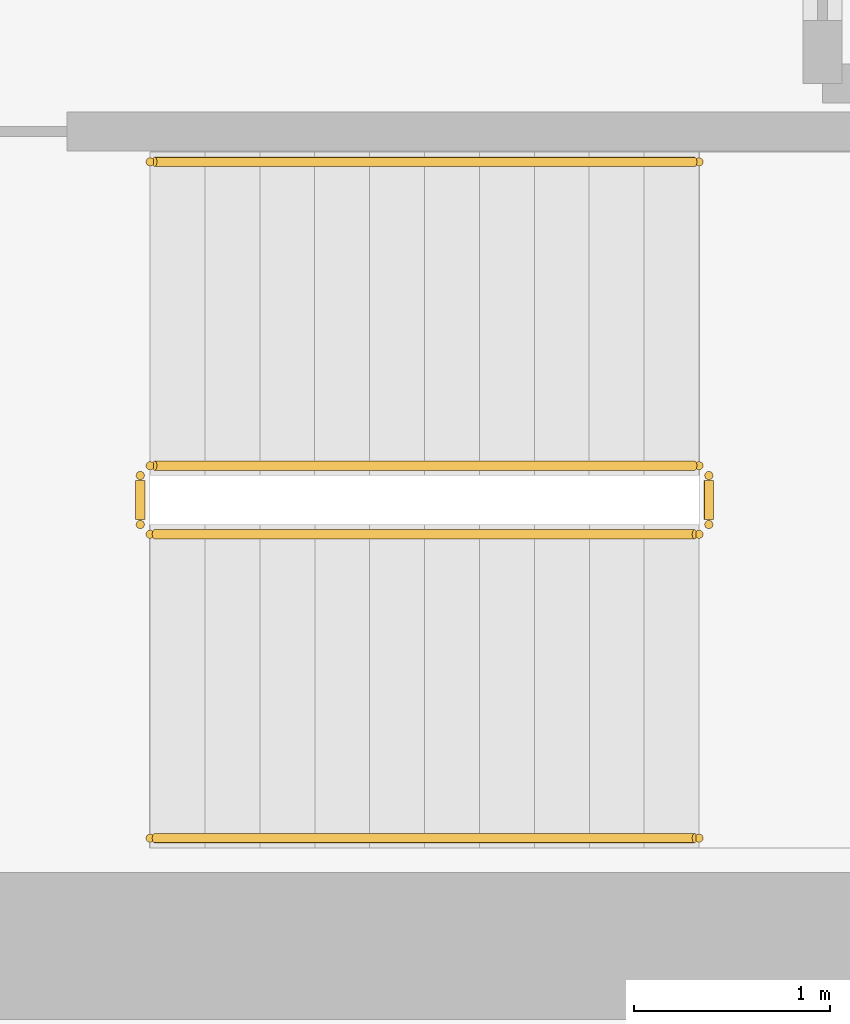
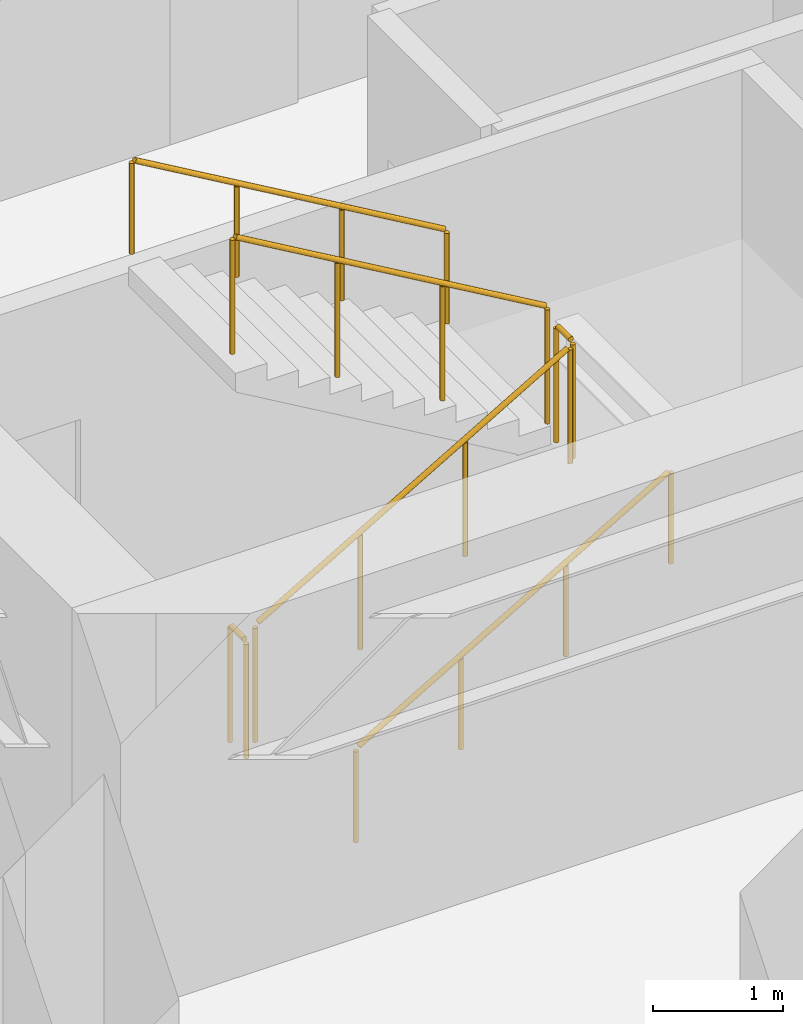
# One storey, part 13 of 13: 6 railings.
"""IFC4 building model written with IfcOpenShell, lengths in metres."""

from ifc_helpers import new_model, si_unit, direction, frame, origin, origin_2d, place, context, subcontext, project, spatial, circle, extrude, source, transform, mapped, material, layer, layer_set, type_object, element, save


model = new_model("IFC4")

# Units and contexts
model_context = context("Model", 3, precision=1e-05, world=origin(), true_north=direction((0.0, 1.0)))
body_context = subcontext(model_context, "Body", "Model", "MODEL_VIEW")
ifc_project = project(units=[si_unit("LENGTHUNIT", "METRE"), si_unit("AREAUNIT", "SQUARE_METRE"), si_unit("VOLUMEUNIT", "CUBIC_METRE"), si_unit("PLANEANGLEUNIT", "RADIAN"), si_unit("MASSUNIT", "GRAM", prefix="KILO")], contexts=[model_context])

# Site, building, storey
site_placement = place(None, origin())
site = spatial("IfcSite", under=ifc_project, at=site_placement, CompositionType="ELEMENT")
building_placement = place(site_placement, origin())
building = spatial("IfcBuilding", under=site, at=building_placement, Name="Kharzan Plaza Tower", CompositionType="ELEMENT")
storey_placement = place(building_placement, frame((0.0, 0.0, 109.800048828125)))
storey = spatial("IfcBuildingStorey", under=building, at=storey_placement, Name="L29", CompositionType="ELEMENT", Elevation=109.800048828125)

# Railings
ifc_material_1 = material(Name="Painted Galvanized Architectural Steel", Category="steel")
ifc_layer_1 = layer(ifc_material_1, 0.074951171875)
ifc_layer_set_1 = layer_set([ifc_layer_1], Name="Painted Galvanized Architectural Steel")
railing_type_1 = type_object("IfcRailingType", Name="RL-GUARD-1120", PredefinedType="BALUSTRADE", material=ifc_layer_set_1)
shared_shape_1 = source(origin(), body_context, "Body", "SweptSolid", [
    extrude(circle(Radius=0.02392578125, at=origin_2d()), frame((0.0, 0.0263671875, 1.09619140625), z_axis=(0.0, 1.0, 0.0), x_axis=(-1.0, 0.0, 0.0)), (0.0, 0.0, 1.0), 0.197021484375),
    extrude(circle(Radius=0.02099609375, at=origin_2d()), origin(), (0.0, 0.0, 1.0), 1.072021484375),
    extrude(circle(Radius=0.02099609375, at=origin_2d()), frame((0.0, 0.25, 0.0)), (0.0, 0.0, 1.0), 1.072021484375),
])
for number, where, name in (
    (1, (41.10009765625, 6.64990234375, 1.800048828125), "L29 ST-3 stair guard 2"),
    (2, (38.199951171875, 6.64990234375, 0.0), "L29 ST-3 stair guard 4"),
):
    element("IfcRailing", number, at=place(storey_placement, frame(where)), inside=storey, type_object=railing_type_1, Name=name, PredefinedType="BALUSTRADE", context=body_context, shape_type="MappedRepresentation", body=[
        mapped(shared_shape_1, transform((0.0, 0.0, 0.0), x_axis=(1.0, 0.0, 0.0), y_axis=(0.0, 1.0, 0.0), z_axis=(0.0, 0.0, 1.0))),
    ])
shared_shape_2 = source(origin(), body_context, "Body", "SweptSolid", [
    extrude(circle(Radius=0.02392578125, at=origin_2d()), frame((0.02294921875, 0.0, 1.109375), z_axis=(0.863360870873, 0.0, 0.504586966384), x_axis=(0.0, 1.0, 0.0)), (0.0, 0.0, 1.0), 3.190185546875),
    extrude(circle(Radius=0.02099609375, at=origin_2d()), origin(), (0.0, 0.0, 1.0), 1.072021484375),
    extrude(circle(Radius=0.02099609375, at=origin_2d()), frame((0.933349609375, 0.0, 0.54541015625)), (0.0, 0.0, 1.0), 1.072021484375),
    extrude(circle(Radius=0.02099609375, at=origin_2d()), frame((1.86669921875, 0.0, 1.091064453125)), (0.0, 0.0, 1.0), 1.072021484375),
    extrude(circle(Radius=0.02099609375, at=origin_2d()), frame((2.800048828125, 0.0, 1.636474609375)), (0.0, 0.0, 1.0), 1.072021484375),
])
railing_1_placement = place(storey_placement, frame((38.25, 6.60009765625, 0.16357421875)))
element("IfcRailing", 3, at=railing_1_placement, inside=storey, type_object=railing_type_1, Name="L29 ST-3 stair guard 1", PredefinedType="BALUSTRADE", context=body_context, shape_type="MappedRepresentation", body=[
    mapped(shared_shape_2, transform((0.0, 0.0, 0.0), x_axis=(1.0, 0.0, 0.0), y_axis=(0.0, 1.0, 0.0), z_axis=(0.0, 0.0, 1.0))),
])
ifc_material_2 = material(Name="Brushed Stainless Steel", Category="steel")
ifc_layer_2 = layer(ifc_material_2, 0.050048828125)
ifc_layer_set_2 = layer_set([ifc_layer_2], Name="Brushed Stainless Steel")
railing_type_2 = type_object("IfcRailingType", Name="RL-STAIR-HR920", PredefinedType="HANDRAIL", material=ifc_layer_set_2)
shared_shape_3 = source(origin(), body_context, "Body", "SweptSolid", [
    extrude(circle(Radius=0.02392578125, at=origin_2d()), frame((0.02294921875, 0.0, 0.88916015625), z_axis=(0.863360870873, 0.0, 0.504586966384), x_axis=(0.0, 1.0, 0.0)), (0.0, 0.0, 1.0), 3.190185546875),
    extrude(circle(Radius=0.02099609375, at=origin_2d()), origin(), (0.0, 0.0, 1.0), 0.851806640625),
    extrude(circle(Radius=0.02099609375, at=origin_2d()), frame((0.933349609375, 0.0, 0.54541015625)), (0.0, 0.0, 1.0), 0.851806640625),
    extrude(circle(Radius=0.02099609375, at=origin_2d()), frame((1.86669921875, 0.0, 1.091064453125)), (0.0, 0.0, 1.0), 0.851806640625),
    extrude(circle(Radius=0.02099609375, at=origin_2d()), frame((2.800048828125, 0.0, 1.636474609375)), (0.0, 0.0, 1.0), 0.851806640625),
])
railing_2_placement = place(storey_placement, frame((38.25, 5.050048828125, 0.16357421875)))
element("IfcRailing", 4, at=railing_2_placement, inside=storey, type_object=railing_type_2, Name="L29 ST-3 stair handrail 1", PredefinedType="HANDRAIL", context=body_context, shape_type="MappedRepresentation", body=[
    mapped(shared_shape_3, transform((0.0, 0.0, 0.0), x_axis=(1.0, 0.0, 0.0), y_axis=(0.0, 1.0, 0.0), z_axis=(0.0, 0.0, 1.0))),
])
shared_shape_4 = source(origin(), body_context, "Body", "SweptSolid", [
    extrude(circle(Radius=0.02392578125, at=origin_2d()), frame((-0.02294921875, 0.0, 1.109375), z_axis=(-0.863393664356, 0.0, 0.504530851732), x_axis=(0.0, -1.0, 0.0)), (0.0, 0.0, 1.0), 3.190185546875),
    extrude(circle(Radius=0.02099609375, at=origin_2d()), origin(), (0.0, 0.0, 1.0), 1.072021484375),
    extrude(circle(Radius=0.02099609375, at=origin_2d()), frame((-0.933349609375, 0.0, 0.54541015625)), (0.0, 0.0, 1.0), 1.072021484375),
    extrude(circle(Radius=0.02099609375, at=origin_2d()), frame((-1.86669921875, 0.0, 1.0908203125)), (0.0, 0.0, 1.0), 1.072021484375),
    extrude(circle(Radius=0.02099609375, at=origin_2d()), frame((-2.800048828125, 0.0, 1.63623046875)), (0.0, 0.0, 1.0), 1.072021484375),
])
railing_3_placement = place(storey_placement, frame((41.050048828125, 6.949951171875, 1.963623046875)))
element("IfcRailing", 5, at=railing_3_placement, inside=storey, type_object=railing_type_1, Name="L29 ST-3 stair guard 3", PredefinedType="BALUSTRADE", context=body_context, shape_type="MappedRepresentation", body=[
    mapped(shared_shape_4, transform((0.0, 0.0, 0.0), x_axis=(1.0, 0.0, 0.0), y_axis=(0.0, 1.0, 0.0), z_axis=(0.0, 0.0, 1.0))),
])
shared_shape_5 = source(origin(), body_context, "Body", "SweptSolid", [
    extrude(circle(Radius=0.02392578125, at=origin_2d()), frame((-0.02294921875, 0.0, 0.88916015625), z_axis=(-0.863393664356, 0.0, 0.504530851732), x_axis=(0.0, -1.0, 0.0)), (0.0, 0.0, 1.0), 3.190185546875),
    extrude(circle(Radius=0.02099609375, at=origin_2d()), origin(), (0.0, 0.0, 1.0), 0.851806640625),
    extrude(circle(Radius=0.02099609375, at=origin_2d()), frame((-0.933349609375, 0.0, 0.54541015625)), (0.0, 0.0, 1.0), 0.851806640625),
    extrude(circle(Radius=0.02099609375, at=origin_2d()), frame((-1.86669921875, 0.0, 1.0908203125)), (0.0, 0.0, 1.0), 0.851806640625),
    extrude(circle(Radius=0.02099609375, at=origin_2d()), frame((-2.800048828125, 0.0, 1.63623046875)), (0.0, 0.0, 1.0), 0.851806640625),
])
railing_4_placement = place(storey_placement, frame((41.050048828125, 8.5, 1.963623046875)))
element("IfcRailing", 6, at=railing_4_placement, inside=storey, type_object=railing_type_2, Name="L29 ST-3 stair handrail 2", PredefinedType="HANDRAIL", context=body_context, shape_type="MappedRepresentation", body=[
    mapped(shared_shape_5, transform((0.0, 0.0, 0.0), x_axis=(1.0, 0.0, 0.0), y_axis=(0.0, 1.0, 0.0), z_axis=(0.0, 0.0, 1.0))),
])

save(model, "model.ifc")
